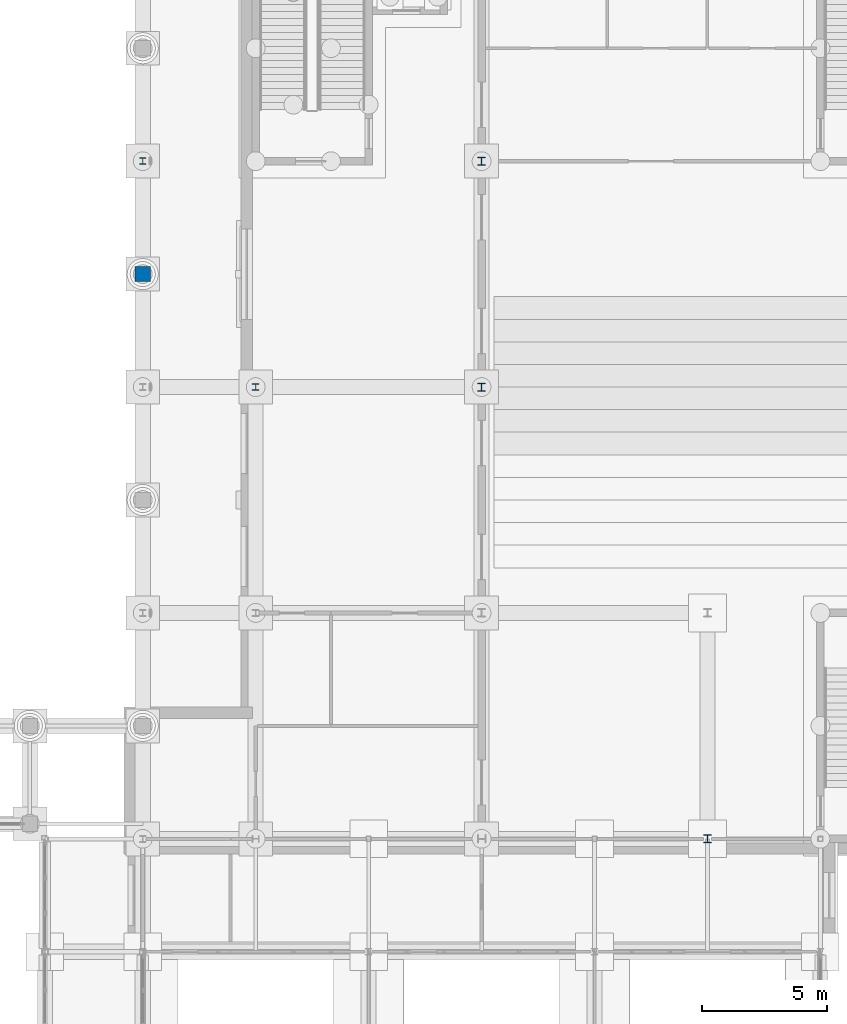
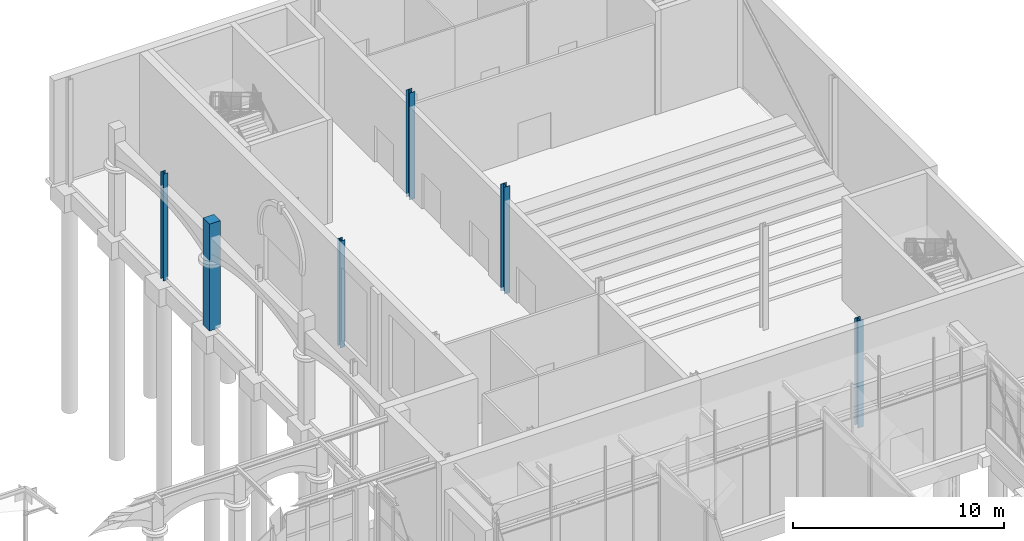
# One storey, part 21 of 106: 6 columns.
"""IFC4 building model written with IfcOpenShell, lengths in metres."""

from ifc_helpers import new_model, si_unit, direction, frame, origin, origin_2d, place, context, subcontext, project, spatial, rectangle, i_section, extrude, material, material_profile, profile_set, type_object, element, save


model = new_model("IFC4")

# Units and contexts
model_context = context("Model", 3, precision=1e-05, world=origin(), true_north=direction((0.0, 1.0)))
body_context = subcontext(model_context, "Body", "Model", "MODEL_VIEW")
ifc_project = project(units=[si_unit("LENGTHUNIT", "METRE"), si_unit("AREAUNIT", "SQUARE_METRE"), si_unit("VOLUMEUNIT", "CUBIC_METRE"), si_unit("PLANEANGLEUNIT", "RADIAN"), si_unit("MASSUNIT", "GRAM", prefix="KILO")], contexts=[model_context])

# Site, building, storey
site_placement = place(None, origin())
site = spatial("IfcSite", under=ifc_project, at=site_placement, CompositionType="ELEMENT")
building_placement = place(site_placement, origin())
building = spatial("IfcBuilding", under=site, at=building_placement, Name="Hortulan Conservatory and Botanical Research Centre", CompositionType="ELEMENT")
storey_placement = place(building_placement, origin())
storey = spatial("IfcBuildingStorey", under=building, at=storey_placement, Name="L00", CompositionType="ELEMENT", Elevation=0.0)

# Columns
ifc_material_1 = material(Name="Steel Grade 300PLUS (AS/NZS 3679.1, 280 MPa minimum yield)", Category="steel")
ifc_material_profile_1 = material_profile(ifc_material_1, i_section(OverallWidth=0.256103515625, OverallDepth=0.260009765625, WebThickness=0.010498046875, FlangeThickness=0.017333984375, FilletRadius=0.013916015625, at=origin_2d()), Name="250UC89.5")
ifc_profile_set_1 = profile_set([ifc_material_profile_1], Name="Steel Grade 300PLUS (AS/NZS 3679.1, 280 MPa minimum yield)")
column_type_1 = type_object("IfcColumnType", Name="Auditorium Column 250UC89.5", PredefinedType="COLUMN", material=ifc_profile_set_1)
for number, where, z_axis, x_axis, name in (
    (1, (76.5, 63.0, -0.199951171875), (0.0, 0.0, 1.0), (1.0, 0.0, 0.0), "250UC89.5 column"),
    (2, (81.0, 54.0, -0.199951171875), (0.0, 0.0, 1.0), (1.0, 0.0, 0.0), "250UC89.5 column"),
):
    element("IfcColumn", number, at=place(storey_placement, frame(where, z_axis=z_axis, x_axis=x_axis)), inside=storey, type_object=column_type_1, Name=name, PredefinedType="COLUMN", context=body_context, shape_type="SweptSolid", body=[
        extrude(i_section(OverallWidth=0.256103515625, OverallDepth=0.260009765625, WebThickness=0.010498046875, FlangeThickness=0.017333984375, FilletRadius=0.013916015625, at=origin_2d()), origin(), (0.0, 0.0, 1.0), 6.199951171875),
    ])
ifc_material_profile_2 = material_profile(ifc_material_1, i_section(OverallWidth=0.30908203125, OverallDepth=0.321044921875, WebThickness=0.013916015625, FlangeThickness=0.021728515625, FilletRadius=0.0166015625, at=origin_2d()), Name="310UC137")
ifc_profile_set_2 = profile_set([ifc_material_profile_2], Name="Steel Grade 300PLUS (AS/NZS 3679.1, 280 MPa minimum yield)")
column_type_2 = type_object("IfcColumnType", Name="Auditorium Column 310UC137", PredefinedType="COLUMN", material=ifc_profile_set_2)
for number, where, z_axis, x_axis, name in (
    (3, (90.0, 54.0, -0.199951171875), (0.0, 0.0, 1.0), (1.0, 0.0, 0.0), "310UC137 column"),
    (4, (90.0, 63.0, -0.199951171875), (0.0, 0.0, 1.0), (1.0, 0.0, 0.0), "310UC137 column"),
    (5, (99.0, 36.0, -0.199951171875), (0.0, 0.0, 1.0), (1.0, 0.0, 0.0), "310UC137 column"),
):
    element("IfcColumn", number, at=place(storey_placement, frame(where, z_axis=z_axis, x_axis=x_axis)), inside=storey, type_object=column_type_2, Name=name, PredefinedType="COLUMN", context=body_context, shape_type="SweptSolid", body=[
        extrude(i_section(OverallWidth=0.30908203125, OverallDepth=0.321044921875, WebThickness=0.013916015625, FlangeThickness=0.021728515625, FilletRadius=0.0166015625, at=origin_2d()), origin(), (0.0, 0.0, 1.0), 6.199951171875),
    ])
ifc_material_2 = material(Name="Sandstone masonry (25 MPa, AS 3700)", Category="masonry")
ifc_material_profile_3 = material_profile(ifc_material_2, rectangle(XDim=0.60009765625, YDim=0.60009765625, at=origin_2d()), Name="Square pier 600")
ifc_profile_set_3 = profile_set([ifc_material_profile_3], Name="Sandstone masonry (25 MPa, AS 3700)")
column_type_3 = type_object("IfcColumnType", Name="Sandstone Arcade Pier 600x600", PredefinedType="COLUMN", material=ifc_profile_set_3)
column_placement = place(storey_placement, frame((76.5, 58.5, -0.199951171875), z_axis=(0.0, 0.0, 1.0), x_axis=(1.0, 0.0, 0.0)))
element("IfcColumn", 6, at=column_placement, inside=storey, type_object=column_type_3, Name="Sandstone arcade pier P-76.5-58.5 L00", PredefinedType="COLUMN", context=body_context, shape_type="SweptSolid", body=[
    extrude(rectangle(XDim=0.60009765625, YDim=0.60009765625, at=origin_2d()), origin(), (0.0, 0.0, 1.0), 6.199951171875),
])

save(model, "model.ifc")
